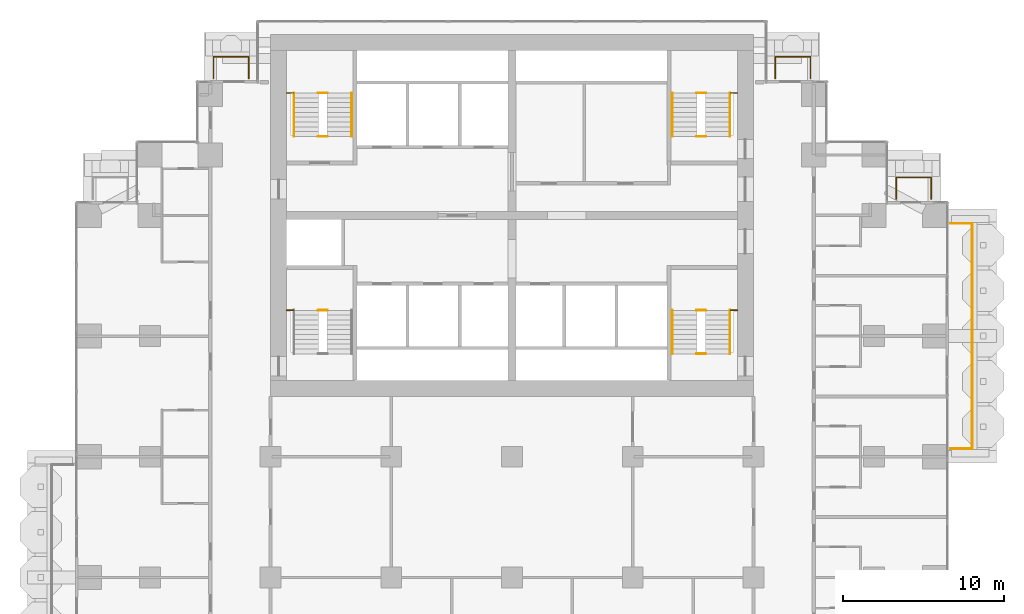
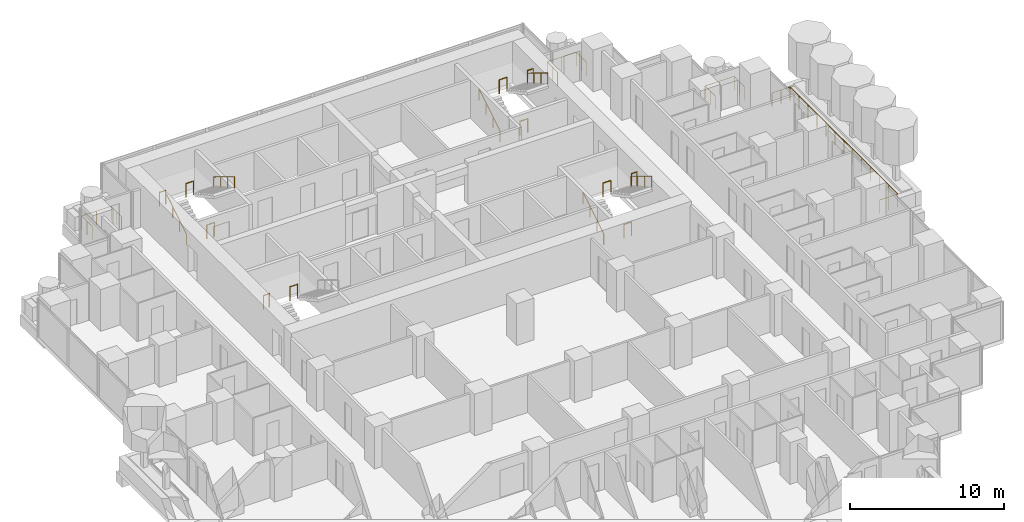
# One storey, part 19 of 20: 21 railings.
"""IFC4 building model written with IfcOpenShell, lengths in metres."""

from ifc_helpers import new_model, si_unit, direction, frame, origin, origin_2d, place, context, subcontext, project, spatial, circle, extrude, material, type_object, element, save


model = new_model("IFC4")

# Units and contexts
model_context = context("Model", 3, precision=1e-05, world=origin(), true_north=direction((0.0, 1.0)))
body_context = subcontext(model_context, "Body", "Model", "MODEL_VIEW")
ifc_project = project(units=[si_unit("LENGTHUNIT", "METRE"), si_unit("AREAUNIT", "SQUARE_METRE"), si_unit("VOLUMEUNIT", "CUBIC_METRE"), si_unit("PLANEANGLEUNIT", "RADIAN"), si_unit("MASSUNIT", "GRAM", prefix="KILO")], contexts=[model_context])

# Site, building, storey
site_placement = place(None, origin())
site = spatial("IfcSite", under=ifc_project, at=site_placement, CompositionType="ELEMENT")
building_placement = place(site_placement, origin())
building = spatial("IfcBuilding", under=site, at=building_placement, Name="Pilkhan Gate Tower", CompositionType="ELEMENT")
storey_placement = place(building_placement, frame((0.0, 0.0, 92.300048828125)))
storey = spatial("IfcBuildingStorey", under=building, at=storey_placement, Name="L22", CompositionType="ELEMENT", Elevation=92.300048828125)

# Railings
ifc_material_1 = material(Name="Pale anodised aluminium posts, laminated glass infill", Category="aluminium")
railing_type_1 = type_object("IfcRailingType", Name="Balcony guard G1", PredefinedType="BALUSTRADE", material=ifc_material_1)
railing_1_placement = place(storey_placement, frame((102.25, 68.0, 0.0)))
element("IfcRailing", 1, at=railing_1_placement, inside=storey, type_object=railing_type_1, Name="Balcony guard L22 E", PredefinedType="BALUSTRADE", context=body_context, shape_type="SweptSolid", body=[
    extrude(circle(Radius=0.02392578125, at=origin_2d()), frame((0.0, 0.0, 1.076171875), z_axis=(1.0, 0.0, 0.0), x_axis=(0.0, 1.0, 0.0)), (0.0, 0.0, 1.0), 1.35009765625),
    extrude(circle(Radius=0.02392578125, at=origin_2d()), frame((1.35009765625, 0.0, 1.076171875), z_axis=(0.0, 1.0, 0.0), x_axis=(-1.0, 0.0, 0.0)), (0.0, 0.0, 1.0), 14.0),
    extrude(circle(Radius=0.02392578125, at=origin_2d()), frame((1.35009765625, 14.0, 1.076171875), z_axis=(-1.0, 0.0, 0.0), x_axis=(0.0, -1.0, 0.0)), (0.0, 0.0, 1.0), 1.35009765625),
    extrude(circle(Radius=0.02099609375, at=origin_2d()), origin(), (0.0, 0.0, 1.0), 1.052001953125),
    extrude(circle(Radius=0.02099609375, at=origin_2d()), frame((0.675048828125, 0.0, 0.0)), (0.0, 0.0, 1.0), 1.052001953125),
    extrude(circle(Radius=0.02099609375, at=origin_2d()), frame((1.35009765625, 0.0, 0.0)), (0.0, 0.0, 1.0), 1.052001953125),
    extrude(circle(Radius=0.02099609375, at=origin_2d()), frame((1.35009765625, 1.166748046875, 0.0)), (0.0, 0.0, 1.0), 1.052001953125),
    extrude(circle(Radius=0.02099609375, at=origin_2d()), frame((1.35009765625, 2.333251953125, 0.0)), (0.0, 0.0, 1.0), 1.052001953125),
    extrude(circle(Radius=0.02099609375, at=origin_2d()), frame((1.35009765625, 3.5, 0.0)), (0.0, 0.0, 1.0), 1.052001953125),
    extrude(circle(Radius=0.02099609375, at=origin_2d()), frame((1.35009765625, 4.666748046875, 0.0)), (0.0, 0.0, 1.0), 1.052001953125),
    extrude(circle(Radius=0.02099609375, at=origin_2d()), frame((1.35009765625, 5.833251953125, 0.0)), (0.0, 0.0, 1.0), 1.052001953125),
    extrude(circle(Radius=0.02099609375, at=origin_2d()), frame((1.35009765625, 7.0, 0.0)), (0.0, 0.0, 1.0), 1.052001953125),
    extrude(circle(Radius=0.02099609375, at=origin_2d()), frame((1.35009765625, 8.166748046875, 0.0)), (0.0, 0.0, 1.0), 1.052001953125),
    extrude(circle(Radius=0.02099609375, at=origin_2d()), frame((1.35009765625, 9.333251953125, 0.0)), (0.0, 0.0, 1.0), 1.052001953125),
    extrude(circle(Radius=0.02099609375, at=origin_2d()), frame((1.35009765625, 10.5, 0.0)), (0.0, 0.0, 1.0), 1.052001953125),
    extrude(circle(Radius=0.02099609375, at=origin_2d()), frame((1.35009765625, 11.666748046875, 0.0)), (0.0, 0.0, 1.0), 1.052001953125),
    extrude(circle(Radius=0.02099609375, at=origin_2d()), frame((1.35009765625, 12.833251953125, 0.0)), (0.0, 0.0, 1.0), 1.052001953125),
    extrude(circle(Radius=0.02099609375, at=origin_2d()), frame((1.35009765625, 14.0, 0.0)), (0.0, 0.0, 1.0), 1.052001953125),
    extrude(circle(Radius=0.02099609375, at=origin_2d()), frame((0.675048828125, 14.0, 0.0)), (0.0, 0.0, 1.0), 1.052001953125),
    extrude(circle(Radius=0.02099609375, at=origin_2d()), frame((0.0, 14.0, 0.0)), (0.0, 0.0, 1.0), 1.052001953125),
])
for number, where, name in (
    (2, (56.449951171875, 91.0, 0.0), "Balcony guard L22 N"),
    (3, (91.35009765625, 91.0, 0.0), "Balcony guard L22 N"),
):
    element("IfcRailing", number, at=place(storey_placement, frame(where)), inside=storey, type_object=railing_type_1, Name=name, PredefinedType="BALUSTRADE", context=body_context, shape_type="SweptSolid", body=[
        extrude(circle(Radius=0.02392578125, at=origin_2d()), frame((0.0, 0.0, 1.076171875), z_axis=(0.0, 1.0, 0.0), x_axis=(-1.0, 0.0, 0.0)), (0.0, 0.0, 1.0), 1.35009765625),
        extrude(circle(Radius=0.02392578125, at=origin_2d()), frame((0.0, 1.35009765625, 1.076171875), z_axis=(1.0, 0.0, 0.0), x_axis=(0.0, 1.0, 0.0)), (0.0, 0.0, 1.0), 2.199951171875),
        extrude(circle(Radius=0.02392578125, at=origin_2d()), frame((2.199951171875, 1.35009765625, 1.076171875), z_axis=(0.0, -1.0, 0.0), x_axis=(1.0, 0.0, 0.0)), (0.0, 0.0, 1.0), 1.35009765625),
        extrude(circle(Radius=0.02099609375, at=origin_2d()), origin(), (0.0, 0.0, 1.0), 1.052001953125),
        extrude(circle(Radius=0.02099609375, at=origin_2d()), frame((0.0, 0.675048828125, 0.0)), (0.0, 0.0, 1.0), 1.052001953125),
        extrude(circle(Radius=0.02099609375, at=origin_2d()), frame((0.0, 1.35009765625, 0.0)), (0.0, 0.0, 1.0), 1.052001953125),
        extrude(circle(Radius=0.02099609375, at=origin_2d()), frame((1.10009765625, 1.35009765625, 0.0)), (0.0, 0.0, 1.0), 1.052001953125),
        extrude(circle(Radius=0.02099609375, at=origin_2d()), frame((2.199951171875, 1.35009765625, 0.0)), (0.0, 0.0, 1.0), 1.052001953125),
        extrude(circle(Radius=0.02099609375, at=origin_2d()), frame((2.199951171875, 0.675048828125, 0.0)), (0.0, 0.0, 1.0), 1.052001953125),
        extrude(circle(Radius=0.02099609375, at=origin_2d()), frame((2.199951171875, 0.0, 0.0)), (0.0, 0.0, 1.0), 1.052001953125),
    ])
railing_2_placement = place(storey_placement, frame((98.8701171875, 83.52001953125, 0.0)))
element("IfcRailing", 4, at=railing_2_placement, inside=storey, type_object=railing_type_1, Name="Balcony guard L22 N", PredefinedType="BALUSTRADE", context=body_context, shape_type="SweptSolid", body=[
    extrude(circle(Radius=0.02392578125, at=origin_2d()), frame((0.0, 0.0, 1.076171875), z_axis=(0.0, 1.0, 0.0), x_axis=(-1.0, 0.0, 0.0)), (0.0, 0.0, 1.0), 1.330078125),
    extrude(circle(Radius=0.02392578125, at=origin_2d()), frame((0.0, 1.330078125, 1.076171875), z_axis=(1.0, 0.0, 0.0), x_axis=(0.0, 1.0, 0.0)), (0.0, 0.0, 1.0), 2.179931640625),
    extrude(circle(Radius=0.02392578125, at=origin_2d()), frame((2.179931640625, 1.330078125, 1.076171875), z_axis=(0.0, -1.0, 0.0), x_axis=(1.0, 0.0, 0.0)), (0.0, 0.0, 1.0), 1.330078125),
    extrude(circle(Radius=0.02099609375, at=origin_2d()), origin(), (0.0, 0.0, 1.0), 1.052001953125),
    extrude(circle(Radius=0.02099609375, at=origin_2d()), frame((0.0, 0.6650390625, 0.0)), (0.0, 0.0, 1.0), 1.052001953125),
    extrude(circle(Radius=0.02099609375, at=origin_2d()), frame((0.0, 1.330078125, 0.0)), (0.0, 0.0, 1.0), 1.052001953125),
    extrude(circle(Radius=0.02099609375, at=origin_2d()), frame((1.08984375, 1.330078125, 0.0)), (0.0, 0.0, 1.0), 1.052001953125),
    extrude(circle(Radius=0.02099609375, at=origin_2d()), frame((2.179931640625, 1.330078125, 0.0)), (0.0, 0.0, 1.0), 1.052001953125),
    extrude(circle(Radius=0.02099609375, at=origin_2d()), frame((2.179931640625, 0.6650390625, 0.0)), (0.0, 0.0, 1.0), 1.052001953125),
    extrude(circle(Radius=0.02099609375, at=origin_2d()), frame((2.179931640625, 0.0, 0.0)), (0.0, 0.0, 1.0), 1.052001953125),
])
ifc_material_2 = material(Name="Black powder-coated steel tube", Category="steel")
railing_type_2 = type_object("IfcRailingType", Name="Stair handrail HR1", PredefinedType="HANDRAIL", material=ifc_material_2)
railing_3_placement = place(storey_placement, frame((84.949951171875, 73.89990234375, 0.0)))
element("IfcRailing", 5, at=railing_3_placement, inside=storey, type_object=railing_type_2, Name="Stair ST1 handrail L22", PredefinedType="HANDRAIL", context=body_context, shape_type="SweptSolid", body=[
    extrude(circle(Radius=0.02392578125, at=origin_2d()), frame((0.0, 0.0, 0.8759765625), z_axis=(0.0, 0.853312346642, 0.521400075823), x_axis=(-1.0, 0.0, 0.0)), (0.0, 0.0, 1.0), 3.164306640625),
    extrude(circle(Radius=0.02099609375, at=origin_2d()), origin(), (0.0, 0.0, 1.0), 0.851806640625),
    extrude(circle(Radius=0.02099609375, at=origin_2d()), frame((0.0, 0.900146484375, 0.550048828125)), (0.0, 0.0, 1.0), 0.851806640625),
    extrude(circle(Radius=0.02099609375, at=origin_2d()), frame((0.0, 1.800048828125, 1.099853515625)), (0.0, 0.0, 1.0), 0.851806640625),
    extrude(circle(Radius=0.02099609375, at=origin_2d()), frame((0.0, 2.7001953125, 1.64990234375)), (0.0, 0.0, 1.0), 0.851806640625),
])
railing_4_placement = place(storey_placement, frame((88.550048828125, 76.60009765625, 1.64990234375)))
element("IfcRailing", 6, at=railing_4_placement, inside=storey, type_object=railing_type_2, Name="Stair ST1 handrail L22", PredefinedType="HANDRAIL", context=body_context, shape_type="SweptSolid", body=[
    extrude(circle(Radius=0.02392578125, at=origin_2d()), frame((0.0, 0.0, 0.8759765625), z_axis=(0.0, -0.853278019476, 0.521456250781), x_axis=(1.0, 0.0, 0.0)), (0.0, 0.0, 1.0), 3.16455078125),
    extrude(circle(Radius=0.02099609375, at=origin_2d()), origin(), (0.0, 0.0, 1.0), 0.851806640625),
    extrude(circle(Radius=0.02099609375, at=origin_2d()), frame((0.0, -0.900146484375, 0.550048828125)), (0.0, 0.0, 1.0), 0.851806640625),
    extrude(circle(Radius=0.02099609375, at=origin_2d()), frame((0.0, -1.800048828125, 1.10009765625)), (0.0, 0.0, 1.0), 0.851806640625),
    extrude(circle(Radius=0.02099609375, at=origin_2d()), frame((0.0, -2.7001953125, 1.650146484375)), (0.0, 0.0, 1.0), 0.851806640625),
])
railing_5_placement = place(storey_placement, frame((61.449951171875, 87.39990234375, 0.0)))
element("IfcRailing", 7, at=railing_5_placement, inside=storey, type_object=railing_type_2, Name="Stair ST3 handrail L22", PredefinedType="HANDRAIL", context=body_context, shape_type="SweptSolid", body=[
    extrude(circle(Radius=0.02392578125, at=origin_2d()), frame((0.0, 0.0, 0.8759765625), z_axis=(0.0, 0.853312346642, 0.521400075823), x_axis=(-1.0, 0.0, 0.0)), (0.0, 0.0, 1.0), 3.164306640625),
    extrude(circle(Radius=0.02099609375, at=origin_2d()), origin(), (0.0, 0.0, 1.0), 0.851806640625),
    extrude(circle(Radius=0.02099609375, at=origin_2d()), frame((0.0, 0.900146484375, 0.550048828125)), (0.0, 0.0, 1.0), 0.851806640625),
    extrude(circle(Radius=0.02099609375, at=origin_2d()), frame((0.0, 1.800048828125, 1.099853515625)), (0.0, 0.0, 1.0), 0.851806640625),
    extrude(circle(Radius=0.02099609375, at=origin_2d()), frame((0.0, 2.7001953125, 1.64990234375)), (0.0, 0.0, 1.0), 0.851806640625),
])
railing_6_placement = place(storey_placement, frame((65.050048828125, 90.10009765625, 1.64990234375)))
element("IfcRailing", 8, at=railing_6_placement, inside=storey, type_object=railing_type_2, Name="Stair ST3 handrail L22", PredefinedType="HANDRAIL", context=body_context, shape_type="SweptSolid", body=[
    extrude(circle(Radius=0.02392578125, at=origin_2d()), frame((0.0, 0.0, 0.8759765625), z_axis=(0.0, -0.853278019476, 0.521456250781), x_axis=(1.0, 0.0, 0.0)), (0.0, 0.0, 1.0), 3.16455078125),
    extrude(circle(Radius=0.02099609375, at=origin_2d()), origin(), (0.0, 0.0, 1.0), 0.851806640625),
    extrude(circle(Radius=0.02099609375, at=origin_2d()), frame((0.0, -0.900146484375, 0.550048828125)), (0.0, 0.0, 1.0), 0.851806640625),
    extrude(circle(Radius=0.02099609375, at=origin_2d()), frame((0.0, -1.800048828125, 1.10009765625)), (0.0, 0.0, 1.0), 0.851806640625),
    extrude(circle(Radius=0.02099609375, at=origin_2d()), frame((0.0, -2.7001953125, 1.650146484375)), (0.0, 0.0, 1.0), 0.851806640625),
])
railing_7_placement = place(storey_placement, frame((84.949951171875, 87.39990234375, 0.0)))
element("IfcRailing", 9, at=railing_7_placement, inside=storey, type_object=railing_type_2, Name="Stair ST4 handrail L22", PredefinedType="HANDRAIL", context=body_context, shape_type="SweptSolid", body=[
    extrude(circle(Radius=0.02392578125, at=origin_2d()), frame((0.0, 0.0, 0.8759765625), z_axis=(0.0, 0.853312346642, 0.521400075823), x_axis=(-1.0, 0.0, 0.0)), (0.0, 0.0, 1.0), 3.164306640625),
    extrude(circle(Radius=0.02099609375, at=origin_2d()), origin(), (0.0, 0.0, 1.0), 0.851806640625),
    extrude(circle(Radius=0.02099609375, at=origin_2d()), frame((0.0, 0.900146484375, 0.550048828125)), (0.0, 0.0, 1.0), 0.851806640625),
    extrude(circle(Radius=0.02099609375, at=origin_2d()), frame((0.0, 1.800048828125, 1.099853515625)), (0.0, 0.0, 1.0), 0.851806640625),
    extrude(circle(Radius=0.02099609375, at=origin_2d()), frame((0.0, 2.7001953125, 1.64990234375)), (0.0, 0.0, 1.0), 0.851806640625),
])
railing_8_placement = place(storey_placement, frame((88.550048828125, 90.10009765625, 1.64990234375)))
element("IfcRailing", 10, at=railing_8_placement, inside=storey, type_object=railing_type_2, Name="Stair ST4 handrail L22", PredefinedType="HANDRAIL", context=body_context, shape_type="SweptSolid", body=[
    extrude(circle(Radius=0.02392578125, at=origin_2d()), frame((0.0, 0.0, 0.8759765625), z_axis=(0.0, -0.853278019476, 0.521456250781), x_axis=(1.0, 0.0, 0.0)), (0.0, 0.0, 1.0), 3.16455078125),
    extrude(circle(Radius=0.02099609375, at=origin_2d()), origin(), (0.0, 0.0, 1.0), 0.851806640625),
    extrude(circle(Radius=0.02099609375, at=origin_2d()), frame((0.0, -0.900146484375, 0.550048828125)), (0.0, 0.0, 1.0), 0.851806640625),
    extrude(circle(Radius=0.02099609375, at=origin_2d()), frame((0.0, -1.800048828125, 1.10009765625)), (0.0, 0.0, 1.0), 0.851806640625),
    extrude(circle(Radius=0.02099609375, at=origin_2d()), frame((0.0, -2.7001953125, 1.650146484375)), (0.0, 0.0, 1.0), 0.851806640625),
])
ifc_material_3 = material(Name="Black powder-coated steel balusters", Category="steel")
railing_type_3 = type_object("IfcRailingType", Name="Stair well guard G3", PredefinedType="GUARDRAIL", material=ifc_material_3)
railing_9_placement = place(storey_placement, frame((88.580078125, 76.60009765625, 1.64990234375)))
element("IfcRailing", 11, at=railing_9_placement, inside=storey, type_object=railing_type_3, Name="Stair ST1 well guard L22", PredefinedType="GUARDRAIL", context=body_context, shape_type="SweptSolid", body=[
    extrude(circle(Radius=0.02392578125, at=origin_2d()), frame((0.0, 0.0, 1.076171875), z_axis=(1.0, 0.0, 0.0), x_axis=(0.0, 1.0, 0.0)), (0.0, 0.0, 1.0), 0.43994140625),
    extrude(circle(Radius=0.02099609375, at=origin_2d()), origin(), (0.0, 0.0, 1.0), 1.052001953125),
    extrude(circle(Radius=0.02099609375, at=origin_2d()), frame((0.43994140625, 0.0, 0.0)), (0.0, 0.0, 1.0), 1.052001953125),
])
for number, where, name in (
    (12, (86.4599609375, 73.89990234375, 0.0), "Stair ST1 well guard L22"),
    (13, (86.4599609375, 76.60009765625, 1.64990234375), "Stair ST1 well guard L22"),
):
    element("IfcRailing", number, at=place(storey_placement, frame(where)), inside=storey, type_object=railing_type_3, Name=name, PredefinedType="GUARDRAIL", context=body_context, shape_type="SweptSolid", body=[
        extrude(circle(Radius=0.02392578125, at=origin_2d()), frame((0.0, 0.0, 1.076171875), z_axis=(1.0, 0.0, 0.0), x_axis=(0.0, 1.0, 0.0)), (0.0, 0.0, 1.0), 0.580078125),
        extrude(circle(Radius=0.02099609375, at=origin_2d()), origin(), (0.0, 0.0, 1.0), 1.052001953125),
        extrude(circle(Radius=0.02099609375, at=origin_2d()), frame((0.580078125, 0.0, 0.0)), (0.0, 0.0, 1.0), 1.052001953125),
    ])
railing_10_placement = place(storey_placement, frame((60.97998046875, 76.60009765625, 1.64990234375)))
element("IfcRailing", 14, at=railing_10_placement, inside=storey, type_object=railing_type_3, Name="Stair ST2 well guard L22", PredefinedType="GUARDRAIL", context=body_context, shape_type="SweptSolid", body=[
    extrude(circle(Radius=0.02392578125, at=origin_2d()), frame((0.0, 0.0, 1.076171875), z_axis=(1.0, 0.0, 0.0), x_axis=(0.0, 1.0, 0.0)), (0.0, 0.0, 1.0), 0.43994140625),
    extrude(circle(Radius=0.02099609375, at=origin_2d()), origin(), (0.0, 0.0, 1.0), 1.052001953125),
    extrude(circle(Radius=0.02099609375, at=origin_2d()), frame((0.43994140625, 0.0, 0.0)), (0.0, 0.0, 1.0), 1.052001953125),
])
railing_11_placement = place(storey_placement, frame((62.9599609375, 76.60009765625, 1.64990234375)))
element("IfcRailing", 15, at=railing_11_placement, inside=storey, type_object=railing_type_3, Name="Stair ST2 well guard L22", PredefinedType="GUARDRAIL", context=body_context, shape_type="SweptSolid", body=[
    extrude(circle(Radius=0.02392578125, at=origin_2d()), frame((0.0, 0.0, 1.076171875), z_axis=(1.0, 0.0, 0.0), x_axis=(0.0, 1.0, 0.0)), (0.0, 0.0, 1.0), 0.580078125),
    extrude(circle(Radius=0.02099609375, at=origin_2d()), origin(), (0.0, 0.0, 1.0), 1.052001953125),
    extrude(circle(Radius=0.02099609375, at=origin_2d()), frame((0.580078125, 0.0, 0.0)), (0.0, 0.0, 1.0), 1.052001953125),
])
railing_12_placement = place(storey_placement, frame((60.97998046875, 90.10009765625, 1.64990234375)))
element("IfcRailing", 16, at=railing_12_placement, inside=storey, type_object=railing_type_3, Name="Stair ST3 well guard L22", PredefinedType="GUARDRAIL", context=body_context, shape_type="SweptSolid", body=[
    extrude(circle(Radius=0.02392578125, at=origin_2d()), frame((0.0, 0.0, 1.076171875), z_axis=(1.0, 0.0, 0.0), x_axis=(0.0, 1.0, 0.0)), (0.0, 0.0, 1.0), 0.43994140625),
    extrude(circle(Radius=0.02099609375, at=origin_2d()), origin(), (0.0, 0.0, 1.0), 1.052001953125),
    extrude(circle(Radius=0.02099609375, at=origin_2d()), frame((0.43994140625, 0.0, 0.0)), (0.0, 0.0, 1.0), 1.052001953125),
])
for number, where, name in (
    (17, (62.9599609375, 87.39990234375, 0.0), "Stair ST3 well guard L22"),
    (18, (62.9599609375, 90.10009765625, 1.64990234375), "Stair ST3 well guard L22"),
):
    element("IfcRailing", number, at=place(storey_placement, frame(where)), inside=storey, type_object=railing_type_3, Name=name, PredefinedType="GUARDRAIL", context=body_context, shape_type="SweptSolid", body=[
        extrude(circle(Radius=0.02392578125, at=origin_2d()), frame((0.0, 0.0, 1.076171875), z_axis=(1.0, 0.0, 0.0), x_axis=(0.0, 1.0, 0.0)), (0.0, 0.0, 1.0), 0.580078125),
        extrude(circle(Radius=0.02099609375, at=origin_2d()), origin(), (0.0, 0.0, 1.0), 1.052001953125),
        extrude(circle(Radius=0.02099609375, at=origin_2d()), frame((0.580078125, 0.0, 0.0)), (0.0, 0.0, 1.0), 1.052001953125),
    ])
railing_13_placement = place(storey_placement, frame((88.580078125, 90.10009765625, 1.64990234375)))
element("IfcRailing", 19, at=railing_13_placement, inside=storey, type_object=railing_type_3, Name="Stair ST4 well guard L22", PredefinedType="GUARDRAIL", context=body_context, shape_type="SweptSolid", body=[
    extrude(circle(Radius=0.02392578125, at=origin_2d()), frame((0.0, 0.0, 1.076171875), z_axis=(1.0, 0.0, 0.0), x_axis=(0.0, 1.0, 0.0)), (0.0, 0.0, 1.0), 0.43994140625),
    extrude(circle(Radius=0.02099609375, at=origin_2d()), origin(), (0.0, 0.0, 1.0), 1.052001953125),
    extrude(circle(Radius=0.02099609375, at=origin_2d()), frame((0.43994140625, 0.0, 0.0)), (0.0, 0.0, 1.0), 1.052001953125),
])
for number, where, name in (
    (20, (86.4599609375, 87.39990234375, 0.0), "Stair ST4 well guard L22"),
    (21, (86.4599609375, 90.10009765625, 1.64990234375), "Stair ST4 well guard L22"),
):
    element("IfcRailing", number, at=place(storey_placement, frame(where)), inside=storey, type_object=railing_type_3, Name=name, PredefinedType="GUARDRAIL", context=body_context, shape_type="SweptSolid", body=[
        extrude(circle(Radius=0.02392578125, at=origin_2d()), frame((0.0, 0.0, 1.076171875), z_axis=(1.0, 0.0, 0.0), x_axis=(0.0, 1.0, 0.0)), (0.0, 0.0, 1.0), 0.580078125),
        extrude(circle(Radius=0.02099609375, at=origin_2d()), origin(), (0.0, 0.0, 1.0), 1.052001953125),
        extrude(circle(Radius=0.02099609375, at=origin_2d()), frame((0.580078125, 0.0, 0.0)), (0.0, 0.0, 1.0), 1.052001953125),
    ])

save(model, "model.ifc")
